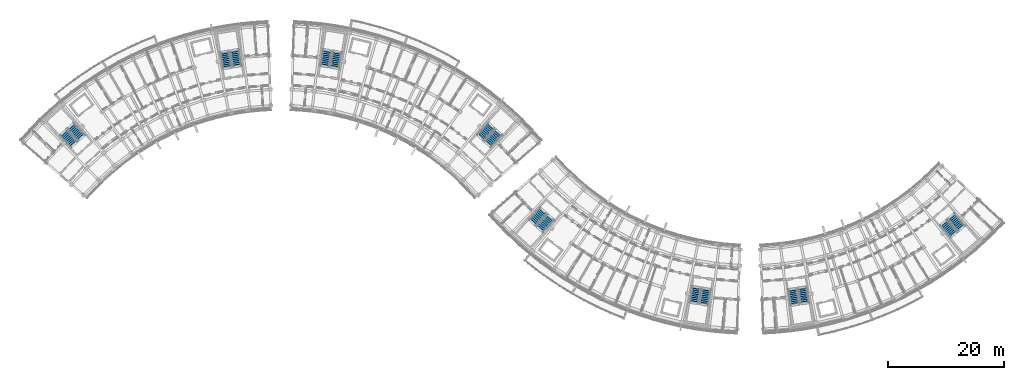
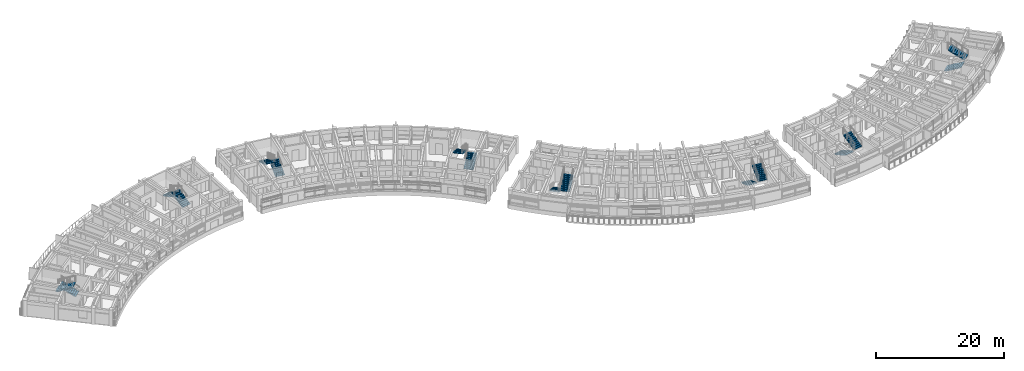
# One storey, part 41 of 55: 16 stair flights, 8 elements without a shape of their own.
"""IFC4 building model written with IfcOpenShell, lengths in metres."""

from ifc_helpers import new_model, si_unit, direction, frame, origin, place, context, subcontext, project, spatial, polyline, outline, extrude, material, type_object, element, aggregate, save


model = new_model("IFC4")

# Units and contexts
model_context = context("Model", 3, precision=1e-05, world=origin(), true_north=direction((0.0, 1.0)))
body_context = subcontext(model_context, "Body", "Model", "MODEL_VIEW")
ifc_project = project(units=[si_unit("LENGTHUNIT", "METRE"), si_unit("AREAUNIT", "SQUARE_METRE"), si_unit("VOLUMEUNIT", "CUBIC_METRE"), si_unit("PLANEANGLEUNIT", "RADIAN"), si_unit("MASSUNIT", "GRAM", prefix="KILO")], contexts=[model_context])

# Site, building, storey
site_placement = place(None, origin())
site = spatial("IfcSite", under=ifc_project, at=site_placement, CompositionType="ELEMENT")
building_placement = place(site_placement, origin())
building = spatial("IfcBuilding", under=site, at=building_placement, Name="Zimvara Arc Housing Community", CompositionType="ELEMENT")
storey_placement = place(building_placement, frame((0.0, 0.0, 14.300048828125)))
storey = spatial("IfcBuildingStorey", under=building, at=storey_placement, Name="L04", CompositionType="ELEMENT", Elevation=14.300048828125)

# Stair, stair flights
ifc_material_1 = material(Name="Concrete C35/45", Category="concrete")
stair_type_1 = type_object("IfcStairType", Name="STR-DL-310-310", PredefinedType="HALF_TURN_STAIR", material=ifc_material_1)
stair_1_placement = place(storey_placement, origin())
stair_1 = element("IfcStair", 1, at=stair_1_placement, inside=storey, type_object=stair_type_1, Name="L04 Block C Exit Stair 2", PredefinedType="HALF_TURN_STAIR")
ifc_material_2 = material(Name="Concrete C35/45", Category="concrete")
stair_flight_type_1 = type_object("IfcStairFlightType", Name="STF-DL-310-310", PredefinedType="STRAIGHT", material=ifc_material_2)
stair_flight_1_placement = place(storey_placement, frame((116.7353515625, 58.27490234375, 0.0), z_axis=(0.0, 0.0, 1.0), x_axis=(-0.160225753504, -0.987080395872, 0.0)))
stair_flight_1 = element("IfcStairFlight", 2, at=stair_flight_1_placement, type_object=stair_flight_type_1, Name="ST-C2 flight 1", NumberOfRisers=10, NumberOfTreads=9, PredefinedType="STRAIGHT", RiserHeight=0.155, TreadLength=0.31, context=body_context, shape_type="SweptSolid", body=[
    extrude(outline(polyline([(0.0, 0.0), (0.0, 0.155029296875), (0.31005859375, 0.155029296875), (0.31005859375, 0.31005859375), (0.6201171875, 0.31005859375), (0.6201171875, 0.465087890625), (0.929931640625, 0.465087890625), (0.929931640625, 0.6201171875), (1.239990234375, 0.6201171875), (1.239990234375, 0.77490234375), (1.550048828125, 0.77490234375), (1.550048828125, 0.929931640625), (1.860107421875, 0.929931640625), (1.860107421875, 1.0849609375), (2.169921875, 1.0849609375), (2.169921875, 1.239990234375), (2.47998046875, 1.239990234375), (2.47998046875, 1.39501953125), (2.7900390625, 1.39501953125), (2.7900390625, 1.550048828125), (2.7900390625, 1.227294921875), (0.335205078125, 0.0), (0.0, 0.0)])), frame((0.0, 0.780029296875, 0.0), z_axis=(0.0, -1.0, 0.0), x_axis=(1.0, 0.0, 0.0)), (0.0, 0.0, 1.0), 1.56005859375),
])
stair_flight_2_placement = place(storey_placement, frame((117.986083984375, 55.2451171875, 1.550048828125), z_axis=(0.0, 0.0, 1.0), x_axis=(0.160225753504, 0.987080395872, 0.0)))
stair_flight_2 = element("IfcStairFlight", 3, at=stair_flight_2_placement, type_object=stair_flight_type_1, Name="ST-C2 flight 2", NumberOfRisers=10, NumberOfTreads=9, PredefinedType="STRAIGHT", RiserHeight=0.155, TreadLength=0.31, context=body_context, shape_type="SweptSolid", body=[
    extrude(outline(polyline([(0.0, 0.0), (0.0, 0.155029296875), (0.31005859375, 0.155029296875), (0.31005859375, 0.31005859375), (0.6201171875, 0.31005859375), (0.6201171875, 0.465087890625), (0.929931640625, 0.465087890625), (0.929931640625, 0.6201171875), (1.239990234375, 0.6201171875), (1.239990234375, 0.77490234375), (1.550048828125, 0.77490234375), (1.550048828125, 0.929931640625), (1.860107421875, 0.929931640625), (1.860107421875, 1.0849609375), (2.169921875, 1.0849609375), (2.169921875, 1.239990234375), (2.47998046875, 1.239990234375), (2.47998046875, 1.39501953125), (2.7900390625, 1.39501953125), (2.7900390625, 1.550048828125), (2.7900390625, 1.227294921875), (0.335205078125, 0.0), (0.0, 0.0)])), frame((0.0, 0.780029296875, 0.0), z_axis=(0.0, -1.0, 0.0), x_axis=(1.0, 0.0, 0.0)), (0.0, 0.0, 1.0), 1.56005859375),
])
aggregate(stair_1, [stair_flight_1, stair_flight_2])

stair_2_placement = place(storey_placement, origin())
stair_2 = element("IfcStair", 4, at=stair_2_placement, inside=storey, type_object=stair_type_1, Name="L04 Block D Exit Stair 1", PredefinedType="HALF_TURN_STAIR")
stair_flight_3_placement = place(storey_placement, frame((133.282470703125, 57.964111328125, 0.0), z_axis=(0.0, 0.0, 1.0), x_axis=(0.155572484907, -0.987824479318, 0.0)))
stair_flight_3 = element("IfcStairFlight", 5, at=stair_flight_3_placement, type_object=stair_flight_type_1, Name="ST-D1 flight 1", NumberOfRisers=10, NumberOfTreads=9, PredefinedType="STRAIGHT", RiserHeight=0.155, TreadLength=0.31, context=body_context, shape_type="SweptSolid", body=[
    extrude(outline(polyline([(0.0, 0.0), (0.0, 0.155029296875), (0.31005859375, 0.155029296875), (0.31005859375, 0.31005859375), (0.6201171875, 0.31005859375), (0.6201171875, 0.465087890625), (0.929931640625, 0.465087890625), (0.929931640625, 0.6201171875), (1.239990234375, 0.6201171875), (1.239990234375, 0.77490234375), (1.550048828125, 0.77490234375), (1.550048828125, 0.929931640625), (1.860107421875, 0.929931640625), (1.860107421875, 1.0849609375), (2.169921875, 1.0849609375), (2.169921875, 1.239990234375), (2.47998046875, 1.239990234375), (2.47998046875, 1.39501953125), (2.7900390625, 1.39501953125), (2.7900390625, 1.550048828125), (2.7900390625, 1.227294921875), (0.335205078125, 0.0), (0.0, 0.0)])), frame((0.0, 0.780029296875, 0.0), z_axis=(0.0, -1.0, 0.0), x_axis=(1.0, 0.0, 0.0)), (0.0, 0.0, 1.0), 1.56005859375),
])
stair_flight_4_placement = place(storey_placement, frame((135.41552734375, 55.475830078125, 1.550048828125), z_axis=(0.0, 0.0, 1.0), x_axis=(-0.155572484907, 0.987824479318, 0.0)))
stair_flight_4 = element("IfcStairFlight", 6, at=stair_flight_4_placement, type_object=stair_flight_type_1, Name="ST-D1 flight 2", NumberOfRisers=10, NumberOfTreads=9, PredefinedType="STRAIGHT", RiserHeight=0.155, TreadLength=0.31, context=body_context, shape_type="SweptSolid", body=[
    extrude(outline(polyline([(0.0, 0.0), (0.0, 0.155029296875), (0.31005859375, 0.155029296875), (0.31005859375, 0.31005859375), (0.6201171875, 0.31005859375), (0.6201171875, 0.465087890625), (0.929931640625, 0.465087890625), (0.929931640625, 0.6201171875), (1.239990234375, 0.6201171875), (1.239990234375, 0.77490234375), (1.550048828125, 0.77490234375), (1.550048828125, 0.929931640625), (1.860107421875, 0.929931640625), (1.860107421875, 1.0849609375), (2.169921875, 1.0849609375), (2.169921875, 1.239990234375), (2.47998046875, 1.239990234375), (2.47998046875, 1.39501953125), (2.7900390625, 1.39501953125), (2.7900390625, 1.550048828125), (2.7900390625, 1.227294921875), (0.335205078125, 0.0), (0.0, 0.0)])), frame((0.0, 0.780029296875, 0.0), z_axis=(0.0, -1.0, 0.0), x_axis=(1.0, 0.0, 0.0)), (0.0, 0.0, 1.0), 1.56005859375),
])
aggregate(stair_2, [stair_flight_3, stair_flight_4])

ifc_material_3 = material(Name="Concrete C35/45", Category="concrete")
stair_type_2 = type_object("IfcStairType", Name="STR-DL-312-310", PredefinedType="HALF_TURN_STAIR", material=ifc_material_3)
stair_3_placement = place(storey_placement, origin())
stair_3 = element("IfcStair", 7, at=stair_3_placement, inside=storey, type_object=stair_type_2, Name="L04 Block A Exit Stair 1", PredefinedType="HALF_TURN_STAIR")
ifc_material_4 = material(Name="Concrete C35/45", Category="concrete")
stair_flight_type_2 = type_object("IfcStairFlightType", Name="STF-DL-312-310", PredefinedType="STRAIGHT", material=ifc_material_4)
stair_flight_5_placement = place(storey_placement, frame((10.590576171875, 84.0283203125, 0.0), z_axis=(0.0, 0.0, 1.0), x_axis=(-0.668871159118, 0.743378350842, 0.0)))
stair_flight_5 = element("IfcStairFlight", 8, at=stair_flight_5_placement, type_object=stair_flight_type_2, Name="ST-A1 flight 1", NumberOfRisers=10, NumberOfTreads=9, PredefinedType="STRAIGHT", RiserHeight=0.155, TreadLength=0.312, context=body_context, shape_type="SweptSolid", body=[
    extrude(outline(polyline([(0.0, 0.0), (0.0, 0.155029296875), (0.31201171875, 0.155029296875), (0.31201171875, 0.31005859375), (0.6240234375, 0.31005859375), (0.6240234375, 0.465087890625), (0.93603515625, 0.465087890625), (0.93603515625, 0.6201171875), (1.248046875, 0.6201171875), (1.248046875, 0.77490234375), (1.56005859375, 0.77490234375), (1.56005859375, 0.929931640625), (1.8720703125, 0.929931640625), (1.8720703125, 1.0849609375), (2.18408203125, 1.0849609375), (2.18408203125, 1.239990234375), (2.49609375, 1.239990234375), (2.49609375, 1.39501953125), (2.80810546875, 1.39501953125), (2.80810546875, 1.550048828125), (2.80810546875, 1.2275390625), (0.3369140625, 0.0), (0.0, 0.0)])), frame((0.0, 0.780029296875, 0.0), z_axis=(0.0, -1.0, 0.0), x_axis=(1.0, 0.0, 0.0)), (0.0, 0.0, 1.0), 1.56005859375),
])
stair_flight_6_placement = place(storey_placement, frame((7.43359375, 84.965087890625, 1.550048828125), z_axis=(0.0, 0.0, 1.0), x_axis=(0.668871159118, -0.743378350842, 0.0)))
stair_flight_6 = element("IfcStairFlight", 9, at=stair_flight_6_placement, type_object=stair_flight_type_2, Name="ST-A1 flight 2", NumberOfRisers=10, NumberOfTreads=9, PredefinedType="STRAIGHT", RiserHeight=0.155, TreadLength=0.312, context=body_context, shape_type="SweptSolid", body=[
    extrude(outline(polyline([(0.0, 0.0), (0.0, 0.155029296875), (0.31201171875, 0.155029296875), (0.31201171875, 0.31005859375), (0.6240234375, 0.31005859375), (0.6240234375, 0.465087890625), (0.93603515625, 0.465087890625), (0.93603515625, 0.6201171875), (1.248046875, 0.6201171875), (1.248046875, 0.77490234375), (1.56005859375, 0.77490234375), (1.56005859375, 0.929931640625), (1.8720703125, 0.929931640625), (1.8720703125, 1.0849609375), (2.18408203125, 1.0849609375), (2.18408203125, 1.239990234375), (2.49609375, 1.239990234375), (2.49609375, 1.39501953125), (2.80810546875, 1.39501953125), (2.80810546875, 1.550048828125), (2.80810546875, 1.2275390625), (0.3369140625, 0.0), (0.0, 0.0)])), frame((0.0, 0.780029296875, 0.0), z_axis=(0.0, -1.0, 0.0), x_axis=(1.0, 0.0, 0.0)), (0.0, 0.0, 1.0), 1.56005859375),
])
aggregate(stair_3, [stair_flight_5, stair_flight_6])

stair_4_placement = place(storey_placement, origin())
stair_4 = element("IfcStair", 10, at=stair_4_placement, inside=storey, type_object=stair_type_2, Name="L04 Block D Exit Stair 2", PredefinedType="HALF_TURN_STAIR")
stair_flight_7_placement = place(storey_placement, frame((159.32177734375, 69.427001953125, 0.0), z_axis=(0.0, 0.0, 1.0), x_axis=(0.648784221735, -0.760972426325, 0.0)))
stair_flight_7 = element("IfcStairFlight", 11, at=stair_flight_7_placement, type_object=stair_flight_type_2, Name="ST-D2 flight 1", NumberOfRisers=10, NumberOfTreads=9, PredefinedType="STRAIGHT", RiserHeight=0.155, TreadLength=0.312, context=body_context, shape_type="SweptSolid", body=[
    extrude(outline(polyline([(0.0, 0.0), (0.0, 0.155029296875), (0.31201171875, 0.155029296875), (0.31201171875, 0.31005859375), (0.6240234375, 0.31005859375), (0.6240234375, 0.465087890625), (0.93603515625, 0.465087890625), (0.93603515625, 0.6201171875), (1.248046875, 0.6201171875), (1.248046875, 0.77490234375), (1.56005859375, 0.77490234375), (1.56005859375, 0.929931640625), (1.8720703125, 0.929931640625), (1.8720703125, 1.0849609375), (2.18408203125, 1.0849609375), (2.18408203125, 1.239990234375), (2.49609375, 1.239990234375), (2.49609375, 1.39501953125), (2.80810546875, 1.39501953125), (2.80810546875, 1.550048828125), (2.80810546875, 1.2275390625), (0.3369140625, 0.0), (0.0, 0.0)])), frame((0.0, 0.780029296875, 0.0), z_axis=(0.0, -1.0, 0.0), x_axis=(1.0, 0.0, 0.0)), (0.0, 0.0, 1.0), 1.56005859375),
])
stair_flight_8_placement = place(storey_placement, frame((162.45263671875, 68.40625, 1.550048828125), z_axis=(0.0, 0.0, 1.0), x_axis=(-0.648784221735, 0.760972426325, 0.0)))
stair_flight_8 = element("IfcStairFlight", 12, at=stair_flight_8_placement, type_object=stair_flight_type_2, Name="ST-D2 flight 2", NumberOfRisers=10, NumberOfTreads=9, PredefinedType="STRAIGHT", RiserHeight=0.155, TreadLength=0.312, context=body_context, shape_type="SweptSolid", body=[
    extrude(outline(polyline([(0.0, 0.0), (0.0, 0.155029296875), (0.31201171875, 0.155029296875), (0.31201171875, 0.31005859375), (0.6240234375, 0.31005859375), (0.6240234375, 0.465087890625), (0.93603515625, 0.465087890625), (0.93603515625, 0.6201171875), (1.248046875, 0.6201171875), (1.248046875, 0.77490234375), (1.56005859375, 0.77490234375), (1.56005859375, 0.929931640625), (1.8720703125, 0.929931640625), (1.8720703125, 1.0849609375), (2.18408203125, 1.0849609375), (2.18408203125, 1.239990234375), (2.49609375, 1.239990234375), (2.49609375, 1.39501953125), (2.80810546875, 1.39501953125), (2.80810546875, 1.550048828125), (2.80810546875, 1.2275390625), (0.3369140625, 0.0), (0.0, 0.0)])), frame((0.0, 0.780029296875, 0.0), z_axis=(0.0, -1.0, 0.0), x_axis=(1.0, 0.0, 0.0)), (0.0, 0.0, 1.0), 1.56005859375),
])
aggregate(stair_4, [stair_flight_7, stair_flight_8])

ifc_material_5 = material(Name="Concrete C35/45", Category="concrete")
stair_type_3 = type_object("IfcStairType", Name="STR-DL-315-310", PredefinedType="HALF_TURN_STAIR", material=ifc_material_5)
stair_5_placement = place(storey_placement, origin())
stair_5 = element("IfcStair", 13, at=stair_5_placement, inside=storey, type_object=stair_type_3, Name="L04 Block A Exit Stair 2", PredefinedType="HALF_TURN_STAIR")
ifc_material_6 = material(Name="Concrete C35/45", Category="concrete")
stair_flight_type_3 = type_object("IfcStairFlightType", Name="STF-DL-315-310", PredefinedType="STRAIGHT", material=ifc_material_6)
stair_flight_9_placement = place(storey_placement, frame((37.453125, 96.36083984375, 0.0), z_axis=(0.0, 0.0, 1.0), x_axis=(-0.160225753504, 0.987080395872, 0.0)))
stair_flight_9 = element("IfcStairFlight", 14, at=stair_flight_9_placement, type_object=stair_flight_type_3, Name="ST-A2 flight 1", NumberOfRisers=10, NumberOfTreads=9, PredefinedType="STRAIGHT", RiserHeight=0.155, TreadLength=0.315, context=body_context, shape_type="SweptSolid", body=[
    extrude(outline(polyline([(0.0, 0.0), (0.0, 0.155029296875), (0.31494140625, 0.155029296875), (0.31494140625, 0.31005859375), (0.6298828125, 0.31005859375), (0.6298828125, 0.465087890625), (0.945068359375, 0.465087890625), (0.945068359375, 0.6201171875), (1.260009765625, 0.6201171875), (1.260009765625, 0.77490234375), (1.574951171875, 0.77490234375), (1.574951171875, 0.929931640625), (1.889892578125, 0.929931640625), (1.889892578125, 1.0849609375), (2.205078125, 1.0849609375), (2.205078125, 1.239990234375), (2.52001953125, 1.239990234375), (2.52001953125, 1.39501953125), (2.8349609375, 1.39501953125), (2.8349609375, 1.550048828125), (2.8349609375, 1.22802734375), (0.339599609375, 0.0), (0.0, 0.0)])), frame((0.0, 0.780029296875, 0.0), z_axis=(0.0, -1.0, 0.0), x_axis=(1.0, 0.0, 0.0)), (0.0, 0.0, 1.0), 1.56005859375),
])
stair_flight_10_placement = place(storey_placement, frame((35.301025390625, 98.883544921875, 1.550048828125), z_axis=(0.0, 0.0, 1.0), x_axis=(0.160225753504, -0.987080395872, 0.0)))
stair_flight_10 = element("IfcStairFlight", 15, at=stair_flight_10_placement, type_object=stair_flight_type_3, Name="ST-A2 flight 2", NumberOfRisers=10, NumberOfTreads=9, PredefinedType="STRAIGHT", RiserHeight=0.155, TreadLength=0.315, context=body_context, shape_type="SweptSolid", body=[
    extrude(outline(polyline([(0.0, 0.0), (0.0, 0.155029296875), (0.31494140625, 0.155029296875), (0.31494140625, 0.31005859375), (0.6298828125, 0.31005859375), (0.6298828125, 0.465087890625), (0.945068359375, 0.465087890625), (0.945068359375, 0.6201171875), (1.260009765625, 0.6201171875), (1.260009765625, 0.77490234375), (1.574951171875, 0.77490234375), (1.574951171875, 0.929931640625), (1.889892578125, 0.929931640625), (1.889892578125, 1.0849609375), (2.205078125, 1.0849609375), (2.205078125, 1.239990234375), (2.52001953125, 1.239990234375), (2.52001953125, 1.39501953125), (2.8349609375, 1.39501953125), (2.8349609375, 1.550048828125), (2.8349609375, 1.22802734375), (0.339599609375, 0.0), (0.0, 0.0)])), frame((0.0, 0.780029296875, 0.0), z_axis=(0.0, -1.0, 0.0), x_axis=(1.0, 0.0, 0.0)), (0.0, 0.0, 1.0), 1.56005859375),
])
aggregate(stair_5, [stair_flight_9, stair_flight_10])

stair_6_placement = place(storey_placement, origin())
stair_6 = element("IfcStair", 16, at=stair_6_placement, inside=storey, type_object=stair_type_3, Name="L04 Block B Exit Stair 1", PredefinedType="HALF_TURN_STAIR")
stair_flight_11_placement = place(storey_placement, frame((54.24462890625, 96.085205078125, 0.0), z_axis=(0.0, 0.0, 1.0), x_axis=(0.160225753504, 0.987080395872, 0.0)))
stair_flight_11 = element("IfcStairFlight", 17, at=stair_flight_11_placement, type_object=stair_flight_type_3, Name="ST-B1 flight 1", NumberOfRisers=10, NumberOfTreads=9, PredefinedType="STRAIGHT", RiserHeight=0.155, TreadLength=0.315, context=body_context, shape_type="SweptSolid", body=[
    extrude(outline(polyline([(0.0, 0.0), (0.0, 0.155029296875), (0.31494140625, 0.155029296875), (0.31494140625, 0.31005859375), (0.6298828125, 0.31005859375), (0.6298828125, 0.465087890625), (0.945068359375, 0.465087890625), (0.945068359375, 0.6201171875), (1.260009765625, 0.6201171875), (1.260009765625, 0.77490234375), (1.574951171875, 0.77490234375), (1.574951171875, 0.929931640625), (1.889892578125, 0.929931640625), (1.889892578125, 1.0849609375), (2.205078125, 1.0849609375), (2.205078125, 1.239990234375), (2.52001953125, 1.239990234375), (2.52001953125, 1.39501953125), (2.8349609375, 1.39501953125), (2.8349609375, 1.550048828125), (2.8349609375, 1.22802734375), (0.339599609375, 0.0), (0.0, 0.0)])), frame((0.0, 0.780029296875, 0.0), z_axis=(0.0, -1.0, 0.0), x_axis=(1.0, 0.0, 0.0)), (0.0, 0.0, 1.0), 1.56005859375),
])
stair_flight_12_placement = place(storey_placement, frame((53.001220703125, 99.1591796875, 1.550048828125), z_axis=(0.0, 0.0, 1.0), x_axis=(-0.160225753504, -0.987080395872, 0.0)))
stair_flight_12 = element("IfcStairFlight", 18, at=stair_flight_12_placement, type_object=stair_flight_type_3, Name="ST-B1 flight 2", NumberOfRisers=10, NumberOfTreads=9, PredefinedType="STRAIGHT", RiserHeight=0.155, TreadLength=0.315, context=body_context, shape_type="SweptSolid", body=[
    extrude(outline(polyline([(0.0, 0.0), (0.0, 0.155029296875), (0.31494140625, 0.155029296875), (0.31494140625, 0.31005859375), (0.6298828125, 0.31005859375), (0.6298828125, 0.465087890625), (0.945068359375, 0.465087890625), (0.945068359375, 0.6201171875), (1.260009765625, 0.6201171875), (1.260009765625, 0.77490234375), (1.574951171875, 0.77490234375), (1.574951171875, 0.929931640625), (1.889892578125, 0.929931640625), (1.889892578125, 1.0849609375), (2.205078125, 1.0849609375), (2.205078125, 1.239990234375), (2.52001953125, 1.239990234375), (2.52001953125, 1.39501953125), (2.8349609375, 1.39501953125), (2.8349609375, 1.550048828125), (2.8349609375, 1.22802734375), (0.339599609375, 0.0), (0.0, 0.0)])), frame((0.0, 0.780029296875, 0.0), z_axis=(0.0, -1.0, 0.0), x_axis=(1.0, 0.0, 0.0)), (0.0, 0.0, 1.0), 1.56005859375),
])
aggregate(stair_6, [stair_flight_11, stair_flight_12])

ifc_material_7 = material(Name="Concrete C35/45", Category="concrete")
stair_type_4 = type_object("IfcStairType", Name="STR-DL-318-310", PredefinedType="HALF_TURN_STAIR", material=ifc_material_7)
stair_7_placement = place(storey_placement, origin())
stair_7 = element("IfcStair", 19, at=stair_7_placement, inside=storey, type_object=stair_type_4, Name="L04 Block B Exit Stair 2", PredefinedType="HALF_TURN_STAIR")
ifc_material_8 = material(Name="Concrete C35/45", Category="concrete")
stair_flight_type_4 = type_object("IfcStairFlightType", Name="STF-DL-318-310", PredefinedType="STRAIGHT", material=ifc_material_8)
stair_flight_13_placement = place(storey_placement, frame((80.688232421875, 82.877685546875, 0.0), z_axis=(0.0, 0.0, 1.0), x_axis=(0.668871159118, 0.743378350842, 0.0)))
stair_flight_13 = element("IfcStairFlight", 20, at=stair_flight_13_placement, type_object=stair_flight_type_4, Name="ST-B2 flight 1", NumberOfRisers=10, NumberOfTreads=9, PredefinedType="STRAIGHT", RiserHeight=0.155, TreadLength=0.318, context=body_context, shape_type="SweptSolid", body=[
    extrude(outline(polyline([(0.0, 0.0), (0.0, 0.155029296875), (0.318115234375, 0.155029296875), (0.318115234375, 0.31005859375), (0.635986328125, 0.31005859375), (0.635986328125, 0.465087890625), (0.9541015625, 0.465087890625), (0.9541015625, 0.6201171875), (1.27197265625, 0.6201171875), (1.27197265625, 0.77490234375), (1.590087890625, 0.77490234375), (1.590087890625, 0.929931640625), (1.907958984375, 0.929931640625), (1.907958984375, 1.0849609375), (2.22607421875, 1.0849609375), (2.22607421875, 1.239990234375), (2.5439453125, 1.239990234375), (2.5439453125, 1.39501953125), (2.862060546875, 1.39501953125), (2.862060546875, 1.550048828125), (2.862060546875, 1.228271484375), (0.342041015625, 0.0), (0.0, 0.0)])), frame((0.0, 0.780029296875, 0.0), z_axis=(0.0, -1.0, 0.0), x_axis=(1.0, 0.0, 0.0)), (0.0, 0.0, 1.0), 1.56005859375),
])
stair_flight_14_placement = place(storey_placement, frame((81.323974609375, 86.15576171875, 1.550048828125), z_axis=(0.0, 0.0, 1.0), x_axis=(-0.668871159118, -0.743378350842, 0.0)))
stair_flight_14 = element("IfcStairFlight", 21, at=stair_flight_14_placement, type_object=stair_flight_type_4, Name="ST-B2 flight 2", NumberOfRisers=10, NumberOfTreads=9, PredefinedType="STRAIGHT", RiserHeight=0.155, TreadLength=0.318, context=body_context, shape_type="SweptSolid", body=[
    extrude(outline(polyline([(0.0, 0.0), (0.0, 0.155029296875), (0.318115234375, 0.155029296875), (0.318115234375, 0.31005859375), (0.635986328125, 0.31005859375), (0.635986328125, 0.465087890625), (0.9541015625, 0.465087890625), (0.9541015625, 0.6201171875), (1.27197265625, 0.6201171875), (1.27197265625, 0.77490234375), (1.590087890625, 0.77490234375), (1.590087890625, 0.929931640625), (1.907958984375, 0.929931640625), (1.907958984375, 1.0849609375), (2.22607421875, 1.0849609375), (2.22607421875, 1.239990234375), (2.5439453125, 1.239990234375), (2.5439453125, 1.39501953125), (2.862060546875, 1.39501953125), (2.862060546875, 1.550048828125), (2.862060546875, 1.228271484375), (0.342041015625, 0.0), (0.0, 0.0)])), frame((0.0, 0.780029296875, 0.0), z_axis=(0.0, -1.0, 0.0), x_axis=(1.0, 0.0, 0.0)), (0.0, 0.0, 1.0), 1.56005859375),
])
aggregate(stair_7, [stair_flight_13, stair_flight_14])

stair_8_placement = place(storey_placement, origin())
stair_8 = element("IfcStair", 22, at=stair_8_placement, inside=storey, type_object=stair_type_4, Name="L04 Block C Exit Stair 1", PredefinedType="HALF_TURN_STAIR")
stair_flight_15_placement = place(storey_placement, frame((90.291748046875, 71.482177734375, 0.0), z_axis=(0.0, 0.0, 1.0), x_axis=(-0.668871159118, -0.743378350842, 0.0)))
stair_flight_15 = element("IfcStairFlight", 23, at=stair_flight_15_placement, type_object=stair_flight_type_4, Name="ST-C1 flight 1", NumberOfRisers=10, NumberOfTreads=9, PredefinedType="STRAIGHT", RiserHeight=0.155, TreadLength=0.318, context=body_context, shape_type="SweptSolid", body=[
    extrude(outline(polyline([(0.0, 0.0), (0.0, 0.155029296875), (0.318115234375, 0.155029296875), (0.318115234375, 0.31005859375), (0.635986328125, 0.31005859375), (0.635986328125, 0.465087890625), (0.9541015625, 0.465087890625), (0.9541015625, 0.6201171875), (1.27197265625, 0.6201171875), (1.27197265625, 0.77490234375), (1.590087890625, 0.77490234375), (1.590087890625, 0.929931640625), (1.907958984375, 0.929931640625), (1.907958984375, 1.0849609375), (2.22607421875, 1.0849609375), (2.22607421875, 1.239990234375), (2.5439453125, 1.239990234375), (2.5439453125, 1.39501953125), (2.862060546875, 1.39501953125), (2.862060546875, 1.550048828125), (2.862060546875, 1.228271484375), (0.342041015625, 0.0), (0.0, 0.0)])), frame((0.0, 0.780029296875, 0.0), z_axis=(0.0, -1.0, 0.0), x_axis=(1.0, 0.0, 0.0)), (0.0, 0.0, 1.0), 1.56005859375),
])
stair_flight_16_placement = place(storey_placement, frame((89.65625, 68.2041015625, 1.550048828125), z_axis=(0.0, 0.0, 1.0), x_axis=(0.668871159118, 0.743378350842, 0.0)))
stair_flight_16 = element("IfcStairFlight", 24, at=stair_flight_16_placement, type_object=stair_flight_type_4, Name="ST-C1 flight 2", NumberOfRisers=10, NumberOfTreads=9, PredefinedType="STRAIGHT", RiserHeight=0.155, TreadLength=0.318, context=body_context, shape_type="SweptSolid", body=[
    extrude(outline(polyline([(0.0, 0.0), (0.0, 0.155029296875), (0.318115234375, 0.155029296875), (0.318115234375, 0.31005859375), (0.635986328125, 0.31005859375), (0.635986328125, 0.465087890625), (0.9541015625, 0.465087890625), (0.9541015625, 0.6201171875), (1.27197265625, 0.6201171875), (1.27197265625, 0.77490234375), (1.590087890625, 0.77490234375), (1.590087890625, 0.929931640625), (1.907958984375, 0.929931640625), (1.907958984375, 1.0849609375), (2.22607421875, 1.0849609375), (2.22607421875, 1.239990234375), (2.5439453125, 1.239990234375), (2.5439453125, 1.39501953125), (2.862060546875, 1.39501953125), (2.862060546875, 1.550048828125), (2.862060546875, 1.228271484375), (0.342041015625, 0.0), (0.0, 0.0)])), frame((0.0, 0.780029296875, 0.0), z_axis=(0.0, -1.0, 0.0), x_axis=(1.0, 0.0, 0.0)), (0.0, 0.0, 1.0), 1.56005859375),
])
aggregate(stair_8, [stair_flight_15, stair_flight_16])

save(model, "model.ifc")
